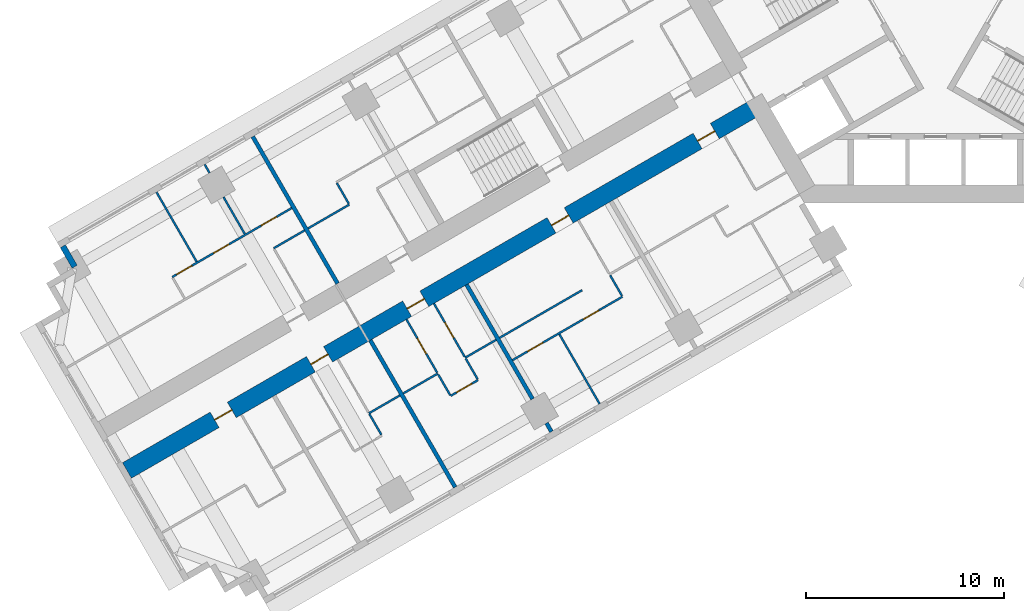
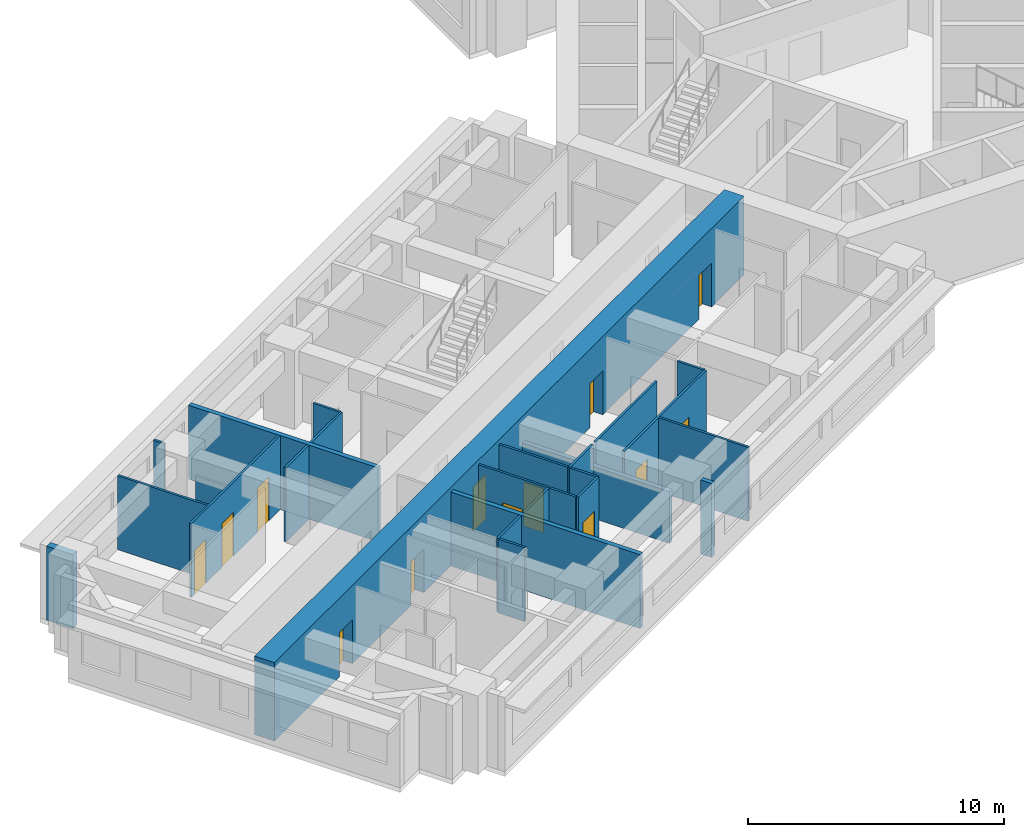
# One storey, part 4 of 16: 26 walls, 13 doors, 13 openings.
"""IFC4 building model written with IfcOpenShell, lengths in metres."""

from ifc_helpers import new_model, si_unit, direction, frame, frame_2d, origin, place, context, subcontext, project, spatial, rectangle, extrude, material, layer, layer_set, type_object, element, fill, save


model = new_model("IFC4")

# Units and contexts
model_context = context("Model", 3, precision=1e-05, world=origin(), true_north=direction((0.0, 1.0)))
body_context = subcontext(model_context, "Body", "Model", "MODEL_VIEW")
ifc_project = project(units=[si_unit("LENGTHUNIT", "METRE"), si_unit("AREAUNIT", "SQUARE_METRE"), si_unit("VOLUMEUNIT", "CUBIC_METRE"), si_unit("PLANEANGLEUNIT", "RADIAN"), si_unit("MASSUNIT", "GRAM", prefix="KILO")], contexts=[model_context])

# Site, building, storey
site_placement = place(None, origin())
site = spatial("IfcSite", under=ifc_project, at=site_placement, CompositionType="ELEMENT")
building_placement = place(site_placement, origin())
building = spatial("IfcBuilding", under=site, at=building_placement, Name="Impinga Residences", CompositionType="ELEMENT")
storey_placement = place(building_placement, frame((0.0, 0.0, 78.5)))
storey = spatial("IfcBuildingStorey", under=building, at=storey_placement, Name="L19", CompositionType="ELEMENT", Elevation=78.5)

# Wall, openings, doors
ifc_material_1 = material(Name="Concrete C70/85", Category="concrete")
ifc_layer_1 = layer(ifc_material_1, 0.89990234375)
ifc_layer_set_1 = layer_set([ifc_layer_1], Name="Concrete C70/85")
wall_type_1 = type_object("IfcWallType", Name="BW1 corridor buttress wall, L05 to L22 900", PredefinedType="SHEAR", material=ifc_layer_set_1)
wall_1_placement = place(storey_placement, frame((-8.910400390625, -6.530029296875, 0.0), z_axis=(0.0, 0.0, 1.0), x_axis=(-0.866025284237, -0.500000207062, 0.0)))
wall_1 = element("IfcWall", 1, at=wall_1_placement, inside=storey, type_object=wall_type_1, Name="Corridor wall BW1 WC L19", PredefinedType="SHEAR", context=body_context, shape_type="SweptSolid", body=[
    extrude(rectangle(XDim=36.75, YDim=0.89990234375, at=frame_2d((18.375, 0.0))), origin(), (0.0, 0.0, 1.0), 3.75),
])
opening_1_placement = place(wall_1_placement, frame((2.550048828125, 0.0, 0.0)))
opening_1 = element("IfcOpeningElement", 2, at=opening_1_placement, cuts=wall_1, Name="Opening D1", PredefinedType="OPENING", context=body_context, shape_type="SweptSolid", body=[
    extrude(rectangle(XDim=1.0, YDim=2.10009765625, at=frame_2d((0.5, 1.050048828125))), frame((0.0, 0.4599609375, 0.0), z_axis=(0.0, -1.0, 0.0), x_axis=(1.0, 0.0, 0.0)), (0.0, 0.0, 1.0), 0.919921875),
])
opening_2_placement = place(wall_1_placement, frame((11.050048828125, 0.0, 0.0)))
opening_2 = element("IfcOpeningElement", 3, at=opening_2_placement, cuts=wall_1, Name="Opening D1", PredefinedType="OPENING", context=body_context, shape_type="SweptSolid", body=[
    extrude(rectangle(XDim=1.0, YDim=2.10009765625, at=frame_2d((0.5, 1.050048828125))), frame((0.0, 0.4599609375, 0.0), z_axis=(0.0, -1.0, 0.0), x_axis=(1.0, 0.0, 0.0)), (0.0, 0.0, 1.0), 0.919921875),
])
opening_3_placement = place(wall_1_placement, frame((19.449951171875, 0.0, 0.0)))
opening_3 = element("IfcOpeningElement", 4, at=opening_3_placement, cuts=wall_1, Name="Opening D1", PredefinedType="OPENING", context=body_context, shape_type="SweptSolid", body=[
    extrude(rectangle(XDim=1.0, YDim=2.10009765625, at=frame_2d((0.5, 1.050048828125))), frame((0.0, 0.4599609375, 0.0), z_axis=(0.0, -1.0, 0.0), x_axis=(1.0, 0.0, 0.0)), (0.0, 0.0, 1.0), 0.919921875),
])
opening_4_placement = place(wall_1_placement, frame((25.050048828125, 0.0, 0.0)))
opening_4 = element("IfcOpeningElement", 5, at=opening_4_placement, cuts=wall_1, Name="Opening D1", PredefinedType="OPENING", context=body_context, shape_type="SweptSolid", body=[
    extrude(rectangle(XDim=1.0, YDim=2.10009765625, at=frame_2d((0.5, 1.050048828125))), frame((0.0, 0.4599609375, 0.0), z_axis=(0.0, -1.0, 0.0), x_axis=(1.0, 0.0, 0.0)), (0.0, 0.0, 1.0), 0.919921875),
])
opening_5_placement = place(wall_1_placement, frame((30.64990234375, 0.0, 0.0)))
opening_5 = element("IfcOpeningElement", 6, at=opening_5_placement, cuts=wall_1, Name="Opening D1", PredefinedType="OPENING", context=body_context, shape_type="SweptSolid", body=[
    extrude(rectangle(XDim=1.0, YDim=2.10009765625, at=frame_2d((0.5, 1.050048828125))), frame((0.0, 0.4599609375, 0.0), z_axis=(0.0, -1.0, 0.0), x_axis=(1.0, 0.0, 0.0)), (0.0, 0.0, 1.0), 0.919921875),
])
ifc_material_2 = material(Name="Timber door set", Category="wood")
door_type_1 = type_object("IfcDoorType", Name="D1 apartment entrance door 1000x2100", OperationType="SINGLE_SWING_LEFT", PredefinedType="DOOR", material=ifc_material_2)
door_1_placement = place(opening_1_placement, origin())
door_1 = element("IfcDoor", 7, at=door_1_placement, inside=storey, type_object=door_type_1, Name="Apartment L19-WA1 entrance", OperationType="SINGLE_SWING_LEFT", OverallHeight=2.10009765625, OverallWidth=1.0, PredefinedType="DOOR", context=body_context, shape_type="SweptSolid", body=[
    extrude(rectangle(XDim=1.0, YDim=2.10009765625, at=frame_2d((0.5, 1.050048828125))), frame((0.0, 0.02490234375, 0.0), z_axis=(0.0, -1.0, 0.0), x_axis=(1.0, 0.0, 0.0)), (0.0, 0.0, 1.0), 0.050048828125),
])
fill(opening_1, door_1)
door_2_placement = place(opening_2_placement, origin())
door_2 = element("IfcDoor", 8, at=door_2_placement, inside=storey, type_object=door_type_1, Name="Apartment L19-WA2 entrance", OperationType="SINGLE_SWING_LEFT", OverallHeight=2.10009765625, OverallWidth=1.0, PredefinedType="DOOR", context=body_context, shape_type="SweptSolid", body=[
    extrude(rectangle(XDim=1.0, YDim=2.10009765625, at=frame_2d((0.5, 1.050048828125))), frame((0.0, 0.02490234375, 0.0), z_axis=(0.0, -1.0, 0.0), x_axis=(1.0, 0.0, 0.0)), (0.0, 0.0, 1.0), 0.050048828125),
])
fill(opening_2, door_2)
door_3_placement = place(opening_3_placement, origin())
door_3 = element("IfcDoor", 9, at=door_3_placement, inside=storey, type_object=door_type_1, Name="Apartment L19-WA3 entrance", OperationType="SINGLE_SWING_RIGHT", OverallHeight=2.10009765625, OverallWidth=1.0, PredefinedType="DOOR", context=body_context, shape_type="SweptSolid", body=[
    extrude(rectangle(XDim=1.0, YDim=2.10009765625, at=frame_2d((0.5, 1.050048828125))), frame((0.0, 0.02490234375, 0.0), z_axis=(0.0, -1.0, 0.0), x_axis=(1.0, 0.0, 0.0)), (0.0, 0.0, 1.0), 0.050048828125),
])
fill(opening_3, door_3)
door_4_placement = place(opening_4_placement, origin())
door_4 = element("IfcDoor", 10, at=door_4_placement, inside=storey, type_object=door_type_1, Name="Apartment L19-WA4 entrance", OperationType="SINGLE_SWING_RIGHT", OverallHeight=2.10009765625, OverallWidth=1.0, PredefinedType="DOOR", context=body_context, shape_type="SweptSolid", body=[
    extrude(rectangle(XDim=1.0, YDim=2.10009765625, at=frame_2d((0.5, 1.050048828125))), frame((0.0, 0.02490234375, 0.0), z_axis=(0.0, -1.0, 0.0), x_axis=(1.0, 0.0, 0.0)), (0.0, 0.0, 1.0), 0.050048828125),
])
fill(opening_4, door_4)
door_5_placement = place(opening_5_placement, origin())
door_5 = element("IfcDoor", 11, at=door_5_placement, inside=storey, type_object=door_type_1, Name="Apartment L19-WA5 entrance", OperationType="SINGLE_SWING_RIGHT", OverallHeight=2.10009765625, OverallWidth=1.0, PredefinedType="DOOR", context=body_context, shape_type="SweptSolid", body=[
    extrude(rectangle(XDim=1.0, YDim=2.10009765625, at=frame_2d((0.5, 1.050048828125))), frame((0.0, 0.02490234375, 0.0), z_axis=(0.0, -1.0, 0.0), x_axis=(1.0, 0.0, 0.0)), (0.0, 0.0, 1.0), 0.050048828125),
])
fill(opening_5, door_5)

# Walls
ifc_material_3 = material(Name="Terracotta rainscreen on blockwork", Category="masonry")
ifc_layer_2 = layer(ifc_material_3, 0.300048828125)
ifc_layer_set_2 = layer_set([ifc_layer_2], Name="EW1 external wall, terracotta rainscreen on blockwork 300")
wall_type_2 = type_object("IfcWallType", Name="EW1 external wall, terracotta rainscreen on blockwork 300", PredefinedType="SOLIDWALL", material=ifc_layer_set_2)
wall_2_placement = place(storey_placement, frame((-43.37109375, -14.64208984375, 0.0), z_axis=(0.0, 0.0, 1.0), x_axis=(-0.500029051137, 0.866008630453, 0.0)))
element("IfcWall", 12, at=wall_2_placement, inside=storey, type_object=wall_type_2, Name="External wall EW1 L19", PredefinedType="SOLIDWALL", context=body_context, shape_type="SweptSolid", body=[
    extrude(rectangle(XDim=1.19482421875, YDim=0.300048828125, at=frame_2d((0.597412109375, 0.0))), origin(), (0.0, 0.0, 1.0), 3.530029296875),
])
ifc_material_4 = material(Name="Gypsum board on steel studs", Category="steel")
ifc_layer_3 = layer(ifc_material_4, 0.10009765625)
ifc_layer_set_3 = layer_set([ifc_layer_3], Name="Gypsum board on steel studs")
wall_type_3 = type_object("IfcWallType", Name="IP1 partition 100", PredefinedType="PARTITIONING", material=ifc_layer_set_3)
wall_3_placement = place(storey_placement, frame((-17.8056640625, -15.82275390625, 0.0), z_axis=(0.0, 0.0, 1.0), x_axis=(-0.866037363387, -0.499979284789, 0.0)))
element("IfcWall", 13, at=wall_3_placement, inside=storey, type_object=wall_type_3, Name="Partition L19-WA2:DIV1", PredefinedType="PARTITIONING", context=body_context, shape_type="SweptSolid", body=[
    extrude(rectangle(XDim=4.800048828125, YDim=0.10009765625, at=frame_2d((2.39990234375, 0.0))), origin(), (0.0, 0.0, 1.0), 3.530029296875),
])

# Wall, openings, doors
wall_4_placement = place(storey_placement, frame((-15.77001953125, -16.1484375, 0.0), z_axis=(0.0, 0.0, 1.0), x_axis=(-0.866018518567, -0.500011925357, 0.0)))
wall_4 = element("IfcWall", 14, at=wall_4_placement, inside=storey, type_object=wall_type_3, Name="Partition L19-WA2:STRIP", PredefinedType="PARTITIONING", context=body_context, shape_type="SweptSolid", body=[
    extrude(rectangle(XDim=6.400146484375, YDim=0.10009765625, at=frame_2d((3.2001953125, 0.0))), origin(), (0.0, 0.0, 1.0), 3.530029296875),
])
opening_6_placement = place(wall_4_placement, frame((1.375, 0.0, 0.0)))
opening_6 = element("IfcOpeningElement", 15, at=opening_6_placement, cuts=wall_4, Name="Opening D2", PredefinedType="OPENING", context=body_context, shape_type="SweptSolid", body=[
    extrude(rectangle(XDim=0.89990234375, YDim=2.10009765625, at=frame_2d((0.449951171875, 1.050048828125))), frame((0.0, 0.06005859375, 0.0), z_axis=(0.0, -1.0, 0.0), x_axis=(1.0, 0.0, 0.0)), (0.0, 0.0, 1.0), 0.1201171875),
])
opening_7_placement = place(wall_4_placement, frame((4.625, 0.0, 0.0)))
opening_7 = element("IfcOpeningElement", 16, at=opening_7_placement, cuts=wall_4, Name="Opening D2", PredefinedType="OPENING", context=body_context, shape_type="SweptSolid", body=[
    extrude(rectangle(XDim=0.89990234375, YDim=2.10009765625, at=frame_2d((0.449951171875, 1.050048828125))), frame((0.0, 0.06005859375, 0.0), z_axis=(0.0, -1.0, 0.0), x_axis=(1.0, 0.0, 0.0)), (0.0, 0.0, 1.0), 0.1201171875),
])
door_type_2 = type_object("IfcDoorType", Name="D2 internal door 900x2100", OperationType="SINGLE_SWING_LEFT", PredefinedType="DOOR", material=ifc_material_2)
door_6_placement = place(opening_6_placement, origin())
door_6 = element("IfcDoor", 17, at=door_6_placement, inside=storey, type_object=door_type_2, Name="Apartment L19-WA2 room door", OperationType="SINGLE_SWING_LEFT", OverallHeight=2.10009765625, OverallWidth=0.89990234375, PredefinedType="DOOR", context=body_context, shape_type="SweptSolid", body=[
    extrude(rectangle(XDim=0.89990234375, YDim=2.10009765625, at=frame_2d((0.449951171875, 1.050048828125))), frame((0.0, 0.02490234375, 0.0), z_axis=(0.0, -1.0, 0.0), x_axis=(1.0, 0.0, 0.0)), (0.0, 0.0, 1.0), 0.050048828125),
])
fill(opening_6, door_6)
door_7_placement = place(opening_7_placement, origin())
door_7 = element("IfcDoor", 18, at=door_7_placement, inside=storey, type_object=door_type_2, Name="Apartment L19-WA2 room door", OperationType="SINGLE_SWING_RIGHT", OverallHeight=2.10009765625, OverallWidth=0.89990234375, PredefinedType="DOOR", context=body_context, shape_type="SweptSolid", body=[
    extrude(rectangle(XDim=0.89990234375, YDim=2.10009765625, at=frame_2d((0.449951171875, 1.050048828125))), frame((0.0, 0.02490234375, 0.0), z_axis=(0.0, -1.0, 0.0), x_axis=(1.0, 0.0, 0.0)), (0.0, 0.0, 1.0), 0.050048828125),
])
fill(opening_7, door_7)

# Walls
wall_5_placement = place(storey_placement, frame((-16.39501953125, -15.06591796875, 0.0), z_axis=(0.0, 0.0, 1.0), x_axis=(0.499880961361, -0.866094119867, 0.0)))
element("IfcWall", 19, at=wall_5_placement, inside=storey, type_object=wall_type_3, Name="Partition L19-WA2:SE0", PredefinedType="PARTITIONING", context=body_context, shape_type="SweptSolid", body=[
    extrude(rectangle(XDim=1.199951171875, YDim=0.10009765625, at=frame_2d((0.60009765625, 0.0))), origin(), (0.0, 0.0, 1.0), 3.530029296875),
])
wall_6_placement = place(storey_placement, frame((-18.949462890625, -18.041748046875, 0.0), z_axis=(0.0, 0.0, 1.0), x_axis=(0.50000943426, -0.866019956843, 0.0)))
element("IfcWall", 20, at=wall_6_placement, inside=storey, type_object=wall_type_3, Name="Partition L19-WA2:OB1", PredefinedType="PARTITIONING", context=body_context, shape_type="SweptSolid", body=[
    extrude(rectangle(XDim=4.05029296875, YDim=0.10009765625, at=frame_2d((2.025146484375, 0.0))), origin(), (0.0, 0.0, 1.0), 3.530029296875),
])
wall_7_placement = place(storey_placement, frame((-22.1357421875, -18.32275390625, 0.0), z_axis=(0.0, 0.0, 1.0), x_axis=(-0.866047807691, -0.499961193289, 0.0)))
element("IfcWall", 21, at=wall_7_placement, inside=storey, type_object=wall_type_3, Name="Partition L19-WA3:DIV0", PredefinedType="PARTITIONING", context=body_context, shape_type="SweptSolid", body=[
    extrude(rectangle(XDim=1.800048828125, YDim=0.10009765625, at=frame_2d((0.89990234375, 0.0))), origin(), (0.0, 0.0, 1.0), 3.530029296875),
])
wall_8_placement = place(storey_placement, frame((-25.080322265625, -20.022705078125, 0.0), z_axis=(0.0, 0.0, 1.0), x_axis=(-0.866010750942, -0.50002537861, 0.0)))
element("IfcWall", 22, at=wall_8_placement, inside=storey, type_object=wall_type_3, Name="Partition L19-WA3:DIV1", PredefinedType="PARTITIONING", context=body_context, shape_type="SweptSolid", body=[
    extrude(rectangle(XDim=2.0, YDim=0.10009765625, at=frame_2d((1.0, 0.0))), origin(), (0.0, 0.0, 1.0), 3.530029296875),
])

# Wall, opening, door
wall_9_placement = place(storey_placement, frame((-23.044677734375, -20.3486328125, 0.0), z_axis=(0.0, 0.0, 1.0), x_axis=(-0.866094119867, -0.499880961361, 0.0)))
wall_9 = element("IfcWall", 23, at=wall_9_placement, inside=storey, type_object=wall_type_3, Name="Partition L19-WA3:STRIP", PredefinedType="PARTITIONING", context=body_context, shape_type="SweptSolid", body=[
    extrude(rectangle(XDim=1.60009765625, YDim=0.10009765625, at=frame_2d((0.800048828125, 0.0))), origin(), (0.0, 0.0, 1.0), 3.530029296875),
])
opening_8_placement = place(wall_9_placement, frame((0.35009765625, 0.0, 0.0)))
opening_8 = element("IfcOpeningElement", 24, at=opening_8_placement, cuts=wall_9, Name="Opening D2", PredefinedType="OPENING", context=body_context, shape_type="SweptSolid", body=[
    extrude(rectangle(XDim=0.89990234375, YDim=2.10009765625, at=frame_2d((0.449951171875, 1.050048828125))), frame((0.0, 0.06005859375, 0.0), z_axis=(0.0, -1.0, 0.0), x_axis=(1.0, 0.0, 0.0)), (0.0, 0.0, 1.0), 0.1201171875),
])
door_8_placement = place(opening_8_placement, origin())
door_8 = element("IfcDoor", 25, at=door_8_placement, inside=storey, type_object=door_type_2, Name="Apartment L19-WA3 room door", OperationType="SINGLE_SWING_LEFT", OverallHeight=2.10009765625, OverallWidth=0.89990234375, PredefinedType="DOOR", context=body_context, shape_type="SweptSolid", body=[
    extrude(rectangle(XDim=0.89990234375, YDim=2.10009765625, at=frame_2d((0.449951171875, 1.050048828125))), frame((0.0, 0.02490234375, 0.0), z_axis=(0.0, -1.0, 0.0), x_axis=(1.0, 0.0, 0.0)), (0.0, 0.0, 1.0), 0.050048828125),
])
fill(opening_8, door_8)

# Walls
for number, where, z_axis, x_axis, name in (
    (26, (-23.669677734375, -19.265869140625, 0.0), (0.0, 0.0, 1.0), (0.500033551112, -0.866006032174, 0.0), "Partition L19-WA3:SE0"),
    (27, (-25.055419921875, -20.06591796875, 0.0), (0.0, 0.0, 1.0), (0.500033551112, -0.866006032174, 0.0), "Partition L19-WA3:SE1"),
):
    element("IfcWall", number, at=place(storey_placement, frame(where, z_axis=z_axis, x_axis=x_axis)), inside=storey, type_object=wall_type_3, Name=name, PredefinedType="PARTITIONING", context=body_context, shape_type="SweptSolid", body=[
        extrude(rectangle(XDim=1.2001953125, YDim=0.10009765625, at=frame_2d((0.60009765625, 0.0))), origin(), (0.0, 0.0, 1.0), 3.530029296875),
    ])

# Wall, opening, door
wall_10_placement = place(storey_placement, frame((-25.269775390625, -16.49462890625, 0.0), z_axis=(0.0, 0.0, 1.0), x_axis=(0.49999285859, -0.86602952684, 0.0)))
wall_10 = element("IfcWall", 28, at=wall_10_placement, inside=storey, type_object=wall_type_3, Name="Partition L19-WA3:IB1", PredefinedType="PARTITIONING", context=body_context, shape_type="SweptSolid", body=[
    extrude(rectangle(XDim=3.10009765625, YDim=0.10009765625, at=frame_2d((1.550048828125, 0.0))), origin(), (0.0, 0.0, 1.0), 3.530029296875),
])
opening_9_placement = place(wall_10_placement, frame((1.10009765625, 0.0, 0.0)))
opening_9 = element("IfcOpeningElement", 29, at=opening_9_placement, cuts=wall_10, Name="Opening D2", PredefinedType="OPENING", context=body_context, shape_type="SweptSolid", body=[
    extrude(rectangle(XDim=0.89990234375, YDim=2.10009765625, at=frame_2d((0.449951171875, 1.050048828125))), frame((0.0, 0.06005859375, 0.0), z_axis=(0.0, -1.0, 0.0), x_axis=(1.0, 0.0, 0.0)), (0.0, 0.0, 1.0), 0.1201171875),
])
door_9_placement = place(opening_9_placement, origin())
door_9 = element("IfcDoor", 30, at=door_9_placement, inside=storey, type_object=door_type_2, Name="Apartment L19-WA3 bathroom door", OperationType="SINGLE_SWING_LEFT", OverallHeight=2.10009765625, OverallWidth=0.89990234375, PredefinedType="DOOR", context=body_context, shape_type="SweptSolid", body=[
    extrude(rectangle(XDim=0.89990234375, YDim=2.10009765625, at=frame_2d((0.449951171875, 1.050048828125))), frame((0.0, 0.02490234375, 0.0), z_axis=(0.0, -1.0, 0.0), x_axis=(1.0, 0.0, 0.0)), (0.0, 0.0, 1.0), 0.050048828125),
])
fill(opening_9, door_9)

wall_11_placement = place(storey_placement, frame((-26.6552734375, -17.294677734375, 0.0), z_axis=(0.0, 0.0, 1.0), x_axis=(0.49999285859, -0.86602952684, 0.0)))
wall_11 = element("IfcWall", 31, at=wall_11_placement, inside=storey, type_object=wall_type_3, Name="Partition L19-WA3:IB2", PredefinedType="PARTITIONING", context=body_context, shape_type="SweptSolid", body=[
    extrude(rectangle(XDim=3.10009765625, YDim=0.10009765625, at=frame_2d((1.550048828125, 0.0))), origin(), (0.0, 0.0, 1.0), 3.530029296875),
])
opening_10_placement = place(wall_11_placement, frame((1.10009765625, 0.0, 0.0)))
opening_10 = element("IfcOpeningElement", 32, at=opening_10_placement, cuts=wall_11, Name="Opening D2", PredefinedType="OPENING", context=body_context, shape_type="SweptSolid", body=[
    extrude(rectangle(XDim=0.89990234375, YDim=2.10009765625, at=frame_2d((0.449951171875, 1.050048828125))), frame((0.0, 0.06005859375, 0.0), z_axis=(0.0, -1.0, 0.0), x_axis=(1.0, 0.0, 0.0)), (0.0, 0.0, 1.0), 0.1201171875),
])
door_10_placement = place(opening_10_placement, origin())
door_10 = element("IfcDoor", 33, at=door_10_placement, inside=storey, type_object=door_type_2, Name="Apartment L19-WA3 WC door", OperationType="SINGLE_SWING_LEFT", OverallHeight=2.10009765625, OverallWidth=0.89990234375, PredefinedType="DOOR", context=body_context, shape_type="SweptSolid", body=[
    extrude(rectangle(XDim=0.89990234375, YDim=2.10009765625, at=frame_2d((0.449951171875, 1.050048828125))), frame((0.0, 0.02490234375, 0.0), z_axis=(0.0, -1.0, 0.0), x_axis=(1.0, 0.0, 0.0)), (0.0, 0.0, 1.0), 0.050048828125),
])
fill(opening_10, door_10)

# Walls
wall_12_placement = place(storey_placement, frame((-26.985595703125, -21.122802734375, 0.0), z_axis=(0.0, 0.0, 1.0), x_axis=(-0.866047807691, -0.499961193289, 0.0)))
element("IfcWall", 34, at=wall_12_placement, inside=storey, type_object=wall_type_3, Name="Partition L19-WA4:DIV0", PredefinedType="PARTITIONING", context=body_context, shape_type="SweptSolid", body=[
    extrude(rectangle(XDim=1.800048828125, YDim=0.10009765625, at=frame_2d((0.89990234375, 0.0))), origin(), (0.0, 0.0, 1.0), 3.530029296875),
])
wall_13_placement = place(storey_placement, frame((-28.51953125, -22.06591796875, 0.0), z_axis=(0.0, 0.0, 1.0), x_axis=(0.500033551112, -0.866006032174, 0.0)))
element("IfcWall", 35, at=wall_13_placement, inside=storey, type_object=wall_type_3, Name="Partition L19-WA4:SE0", PredefinedType="PARTITIONING", context=body_context, shape_type="SweptSolid", body=[
    extrude(rectangle(XDim=1.2001953125, YDim=0.10009765625, at=frame_2d((0.60009765625, 0.0))), origin(), (0.0, 0.0, 1.0), 3.530029296875),
])
wall_14_placement = place(storey_placement, frame((-29.533935546875, -11.5087890625, 0.0), z_axis=(0.0, 0.0, 1.0), x_axis=(-0.866024647952, -0.500001309137, 0.0)))
element("IfcWall", 36, at=wall_14_placement, inside=storey, type_object=wall_type_3, Name="Partition L19-WF2:DIV1", PredefinedType="PARTITIONING", context=body_context, shape_type="SweptSolid", body=[
    extrude(rectangle(XDim=2.39990234375, YDim=0.10009765625, at=frame_2d((1.199951171875, 0.0))), origin(), (0.0, 0.0, 1.0), 3.530029296875),
])
wall_15_placement = place(storey_placement, frame((-29.558837890625, -11.465576171875, 0.0), z_axis=(0.0, 0.0, 1.0), x_axis=(-0.500033551112, 0.866006032174, 0.0)))
element("IfcWall", 37, at=wall_15_placement, inside=storey, type_object=wall_type_3, Name="Partition L19-WF2:SE1", PredefinedType="PARTITIONING", context=body_context, shape_type="SweptSolid", body=[
    extrude(rectangle(XDim=1.2001953125, YDim=0.10009765625, at=frame_2d((0.60009765625, 0.0))), origin(), (0.0, 0.0, 1.0), 3.530029296875),
])
wall_16_placement = place(storey_placement, frame((-31.78564453125, -12.808837890625, 0.0), z_axis=(0.0, 0.0, 1.0), x_axis=(-0.866047807691, -0.499961193289, 0.0)))
element("IfcWall", 38, at=wall_16_placement, inside=storey, type_object=wall_type_3, Name="Partition L19-WF3:DIV0", PredefinedType="PARTITIONING", context=body_context, shape_type="SweptSolid", body=[
    extrude(rectangle(XDim=1.800048828125, YDim=0.10009765625, at=frame_2d((0.89990234375, 0.0))), origin(), (0.0, 0.0, 1.0), 3.530029296875),
])

# Wall, openings, doors
wall_17_placement = place(storey_placement, frame((-32.435546875, -11.68310546875, 0.0), z_axis=(0.0, 0.0, 1.0), x_axis=(-0.866031734426, -0.499989034847, 0.0)))
wall_17 = element("IfcWall", 39, at=wall_17_placement, inside=storey, type_object=wall_type_3, Name="Partition L19-WF3:STRIP", PredefinedType="PARTITIONING", context=body_context, shape_type="SweptSolid", body=[
    extrude(rectangle(XDim=6.949951171875, YDim=0.10009765625, at=frame_2d((3.47509765625, 0.0))), origin(), (0.0, 0.0, 1.0), 3.530029296875),
])
opening_11_placement = place(wall_17_placement, frame((0.875, 0.0, 0.0)))
opening_11 = element("IfcOpeningElement", 40, at=opening_11_placement, cuts=wall_17, Name="Opening D2", PredefinedType="OPENING", context=body_context, shape_type="SweptSolid", body=[
    extrude(rectangle(XDim=0.89990234375, YDim=2.10009765625, at=frame_2d((0.449951171875, 1.050048828125))), frame((0.0, 0.06005859375, 0.0), z_axis=(0.0, -1.0, 0.0), x_axis=(1.0, 0.0, 0.0)), (0.0, 0.0, 1.0), 0.1201171875),
])
opening_12_placement = place(wall_17_placement, frame((3.64990234375, 0.0, 0.0)))
opening_12 = element("IfcOpeningElement", 41, at=opening_12_placement, cuts=wall_17, Name="Opening D2", PredefinedType="OPENING", context=body_context, shape_type="SweptSolid", body=[
    extrude(rectangle(XDim=0.89990234375, YDim=2.10009765625, at=frame_2d((0.449951171875, 1.050048828125))), frame((0.0, 0.06005859375, 0.0), z_axis=(0.0, -1.0, 0.0), x_axis=(1.0, 0.0, 0.0)), (0.0, 0.0, 1.0), 0.1201171875),
])
opening_13_placement = place(wall_17_placement, frame((5.800048828125, 0.0, 0.0)))
opening_13 = element("IfcOpeningElement", 42, at=opening_13_placement, cuts=wall_17, Name="Opening D2", PredefinedType="OPENING", context=body_context, shape_type="SweptSolid", body=[
    extrude(rectangle(XDim=0.89990234375, YDim=2.10009765625, at=frame_2d((0.449951171875, 1.050048828125))), frame((0.0, 0.06005859375, 0.0), z_axis=(0.0, -1.0, 0.0), x_axis=(1.0, 0.0, 0.0)), (0.0, 0.0, 1.0), 0.1201171875),
])
door_11_placement = place(opening_11_placement, origin())
door_11 = element("IfcDoor", 43, at=door_11_placement, inside=storey, type_object=door_type_2, Name="Apartment L19-WF3 room door", OperationType="SINGLE_SWING_LEFT", OverallHeight=2.10009765625, OverallWidth=0.89990234375, PredefinedType="DOOR", context=body_context, shape_type="SweptSolid", body=[
    extrude(rectangle(XDim=0.89990234375, YDim=2.10009765625, at=frame_2d((0.449951171875, 1.050048828125))), frame((0.0, 0.02490234375, 0.0), z_axis=(0.0, -1.0, 0.0), x_axis=(1.0, 0.0, 0.0)), (0.0, 0.0, 1.0), 0.050048828125),
])
fill(opening_11, door_11)
door_12_placement = place(opening_12_placement, origin())
door_12 = element("IfcDoor", 44, at=door_12_placement, inside=storey, type_object=door_type_2, Name="Apartment L19-WF3 room door", OperationType="SINGLE_SWING_RIGHT", OverallHeight=2.10009765625, OverallWidth=0.89990234375, PredefinedType="DOOR", context=body_context, shape_type="SweptSolid", body=[
    extrude(rectangle(XDim=0.89990234375, YDim=2.10009765625, at=frame_2d((0.449951171875, 1.050048828125))), frame((0.0, 0.02490234375, 0.0), z_axis=(0.0, -1.0, 0.0), x_axis=(1.0, 0.0, 0.0)), (0.0, 0.0, 1.0), 0.050048828125),
])
fill(opening_12, door_12)
door_13_placement = place(opening_13_placement, origin())
door_13 = element("IfcDoor", 45, at=door_13_placement, inside=storey, type_object=door_type_2, Name="Apartment L19-WF3 room door", OperationType="SINGLE_SWING_RIGHT", OverallHeight=2.10009765625, OverallWidth=0.89990234375, PredefinedType="DOOR", context=body_context, shape_type="SweptSolid", body=[
    extrude(rectangle(XDim=0.89990234375, YDim=2.10009765625, at=frame_2d((0.449951171875, 1.050048828125))), frame((0.0, 0.02490234375, 0.0), z_axis=(0.0, -1.0, 0.0), x_axis=(1.0, 0.0, 0.0)), (0.0, 0.0, 1.0), 0.050048828125),
])
fill(opening_13, door_13)

# Walls
wall_18_placement = place(storey_placement, frame((-34.798828125, -12.98974609375, 0.0), z_axis=(0.0, 0.0, 1.0), x_axis=(-0.499961633463, 0.866047553582, 0.0)))
element("IfcWall", 46, at=wall_18_placement, inside=storey, type_object=wall_type_3, Name="Partition L19-WF3:OB1", PredefinedType="PARTITIONING", context=body_context, shape_type="SweptSolid", body=[
    extrude(rectangle(XDim=2.150146484375, YDim=0.10009765625, at=frame_2d((1.0751953125, 0.0))), origin(), (0.0, 0.0, 1.0), 2.47998046875),
])
wall_19_placement = place(storey_placement, frame((-36.57373046875, -9.915283203125, 0.0), z_axis=(0.0, 0.0, 1.0), x_axis=(-0.500131122175, 0.865949687125, 0.0)))
element("IfcWall", 47, at=wall_19_placement, inside=storey, type_object=wall_type_3, Name="Partition L19-WF3:OB1b", PredefinedType="PARTITIONING", context=body_context, shape_type="SweptSolid", body=[
    extrude(rectangle(XDim=0.499755859375, YDim=0.10009765625, at=frame_2d((0.25, 0.0))), origin(), (0.0, 0.0, 1.0), 3.530029296875),
])
wall_20_placement = place(storey_placement, frame((-37.2236328125, -14.3896484375, 0.0), z_axis=(0.0, 0.0, 1.0), x_axis=(-0.500035537042, 0.866004885491, 0.0)))
element("IfcWall", 48, at=wall_20_placement, inside=storey, type_object=wall_type_3, Name="Partition L19-WF3:OB2", PredefinedType="PARTITIONING", context=body_context, shape_type="SweptSolid", body=[
    extrude(rectangle(XDim=4.050048828125, YDim=0.10009765625, at=frame_2d((2.02490234375, 0.0))), origin(), (0.0, 0.0, 1.0), 3.530029296875),
])
ifc_material_5 = material(Name="Concrete blockwork", Category="masonry")
ifc_layer_4 = layer(ifc_material_5, 0.199951171875)
ifc_layer_set_4 = layer_set([ifc_layer_4], Name="PW1 party wall between apartments 200")
wall_type_4 = type_object("IfcWallType", Name="PW1 party wall between apartments 200", PredefinedType="SOLIDWALL", material=ifc_layer_set_4)
wall_21_placement = place(storey_placement, frame((-23.624267578125, -15.544677734375, 0.0), z_axis=(0.0, 0.0, 1.0), x_axis=(0.49999681972, -0.866027239912, 0.0)))
element("IfcWall", 49, at=wall_21_placement, inside=storey, type_object=wall_type_4, Name="Party wall between apartments L19-WA2:PARTY", PredefinedType="SOLIDWALL", context=body_context, shape_type="SweptSolid", body=[
    extrude(rectangle(XDim=6.64990234375, YDim=0.199951171875, at=frame_2d((3.324951171875, 0.0))), origin(), (0.0, 0.0, 1.0), 2.47998046875),
])
wall_22_placement = place(storey_placement, frame((-19.59912109375, -22.51611328125, 0.0), z_axis=(0.0, 0.0, 1.0), x_axis=(0.499919672301, -0.866071776036, 0.0)))
element("IfcWall", 50, at=wall_22_placement, inside=storey, type_object=wall_type_4, Name="Party wall between apartments L19-WA2:PARTYb", PredefinedType="SOLIDWALL", context=body_context, shape_type="SweptSolid", body=[
    extrude(rectangle(XDim=0.5, YDim=0.199951171875, at=frame_2d((0.25, 0.0))), origin(), (0.0, 0.0, 1.0), 3.530029296875),
])
for number, where, z_axis, x_axis, name in (
    (51, (-28.473876953125, -18.3447265625, 0.0), (0.0, 0.0, 1.0), (0.499990227581, -0.86603104582, 0.0), "Party wall between apartments L19-WA3:PARTY"),
    (52, (-30.1240234375, -15.48681640625, 0.0), (0.0, 0.0, 1.0), (-0.499990227581, 0.86603104582, 0.0), "Party wall between apartments L19-WF2:PARTY"),
):
    element("IfcWall", number, at=place(storey_placement, frame(where, z_axis=z_axis, x_axis=x_axis)), inside=storey, type_object=wall_type_4, Name=name, PredefinedType="SOLIDWALL", context=body_context, shape_type="SweptSolid", body=[
        extrude(rectangle(XDim=8.550048828125, YDim=0.199951171875, at=frame_2d((4.27490234375, 0.0))), origin(), (0.0, 0.0, 1.0), 3.530029296875),
    ])

save(model, "model.ifc")
